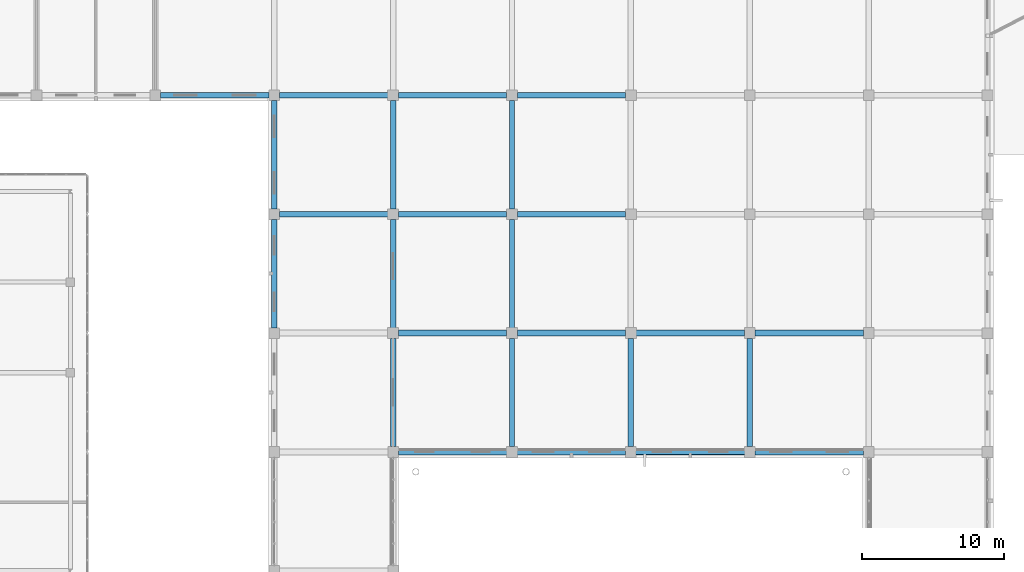
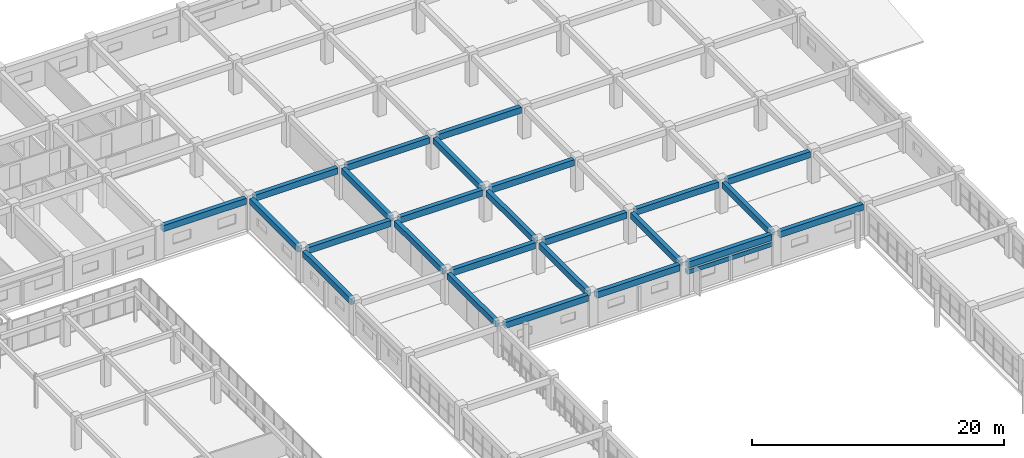
# One storey, part 142 of 200: 26 beams.
"""IFC4 building model written with IfcOpenShell, lengths in metres."""

from ifc_helpers import new_model, si_unit, direction, frame, origin, origin_2d, place, context, subcontext, project, spatial, rectangle, extrude, material, material_profile, profile_set, type_object, element, save


model = new_model("IFC4")

# Units and contexts
model_context = context("Model", 3, precision=1e-05, world=origin(), true_north=direction((0.0, 1.0)))
body_context = subcontext(model_context, "Body", "Model", "MODEL_VIEW")
ifc_project = project(units=[si_unit("LENGTHUNIT", "METRE"), si_unit("AREAUNIT", "SQUARE_METRE"), si_unit("VOLUMEUNIT", "CUBIC_METRE"), si_unit("PLANEANGLEUNIT", "RADIAN"), si_unit("MASSUNIT", "GRAM", prefix="KILO")], contexts=[model_context])

# Site, building, storey
site_placement = place(None, origin())
site = spatial("IfcSite", under=ifc_project, at=site_placement, CompositionType="ELEMENT")
building_placement = place(site_placement, origin())
building = spatial("IfcBuilding", under=site, at=building_placement, Name="Trelvath General Hospital", CompositionType="ELEMENT")
storey_placement = place(building_placement, frame((0.0, 0.0, 4.800048828125)))
storey = spatial("IfcBuildingStorey", under=building, at=storey_placement, Name="L01", CompositionType="ELEMENT", Elevation=4.800048828125)

# Beams
ifc_material_1 = material(Name="Concrete C35/45", Category="concrete")
ifc_material_profile_1 = material_profile(ifc_material_1, rectangle(XDim=0.3798828125, YDim=0.580078125, at=origin_2d()), Name="RCB380x580")
ifc_profile_set_1 = profile_set([ifc_material_profile_1], Name="Concrete C35/45")
beam_type_1 = type_object("IfcBeamType", Name="Beam RC380x580", PredefinedType="BEAM", material=ifc_profile_set_1)
for number, where, z_axis, x_axis, name in (
    (1, (134.39990234375, 75.969970703125, 2.72998046875), (0.0, 1.0, 0.0), (-1.0, 0.0, 0.0), "Grid Beam BY-116J"),
    (2, (134.39990234375, 84.3701171875, 2.72998046875), (0.0, 1.0, 0.0), (-1.0, 0.0, 0.0), "Grid Beam BY-116K"),
):
    element("IfcBeam", number, at=place(storey_placement, frame(where, z_axis=z_axis, x_axis=x_axis)), inside=storey, type_object=beam_type_1, Name=name, PredefinedType="BEAM", context=body_context, shape_type="SweptSolid", body=[
        extrude(rectangle(XDim=0.3798828125, YDim=0.580078125, at=origin_2d()), origin(), (0.0, 0.0, 1.0), 7.659912109375),
    ])
beam_1_placement = place(storey_placement, frame((142.800048828125, 67.570068359375, 2.72998046875), z_axis=(0.0, 1.0, 0.0), x_axis=(-1.0, 0.0, 0.0)))
element("IfcBeam", 3, at=beam_1_placement, inside=storey, type_object=beam_type_1, Name="Grid Beam BY-117I", PredefinedType="BEAM", context=body_context, shape_type="SweptSolid", body=[
    extrude(rectangle(XDim=0.3798828125, YDim=0.580078125, at=origin_2d()), origin(), (0.0, 0.0, 1.0), 7.655029296875),
])
for number, where, z_axis, x_axis, name in (
    (4, (142.800048828125, 75.97509765625, 2.72998046875), (0.0, 1.0, 0.0), (-1.0, 0.0, 0.0), "Grid Beam BY-117J"),
    (5, (142.800048828125, 84.375, 2.72998046875), (0.0, 1.0, 0.0), (-1.0, 0.0, 0.0), "Grid Beam BY-117K"),
):
    element("IfcBeam", number, at=place(storey_placement, frame(where, z_axis=z_axis, x_axis=x_axis)), inside=storey, type_object=beam_type_1, Name=name, PredefinedType="BEAM", context=body_context, shape_type="SweptSolid", body=[
        extrude(rectangle(XDim=0.3798828125, YDim=0.580078125, at=origin_2d()), origin(), (0.0, 0.0, 1.0), 7.64990234375),
    ])
beam_2_placement = place(storey_placement, frame((151.199951171875, 67.570068359375, 2.72998046875), z_axis=(0.0, 1.0, 0.0), x_axis=(-1.0, 0.0, 0.0)))
element("IfcBeam", 6, at=beam_2_placement, inside=storey, type_object=beam_type_1, Name="Grid Beam BY-118I", PredefinedType="BEAM", context=body_context, shape_type="SweptSolid", body=[
    extrude(rectangle(XDim=0.3798828125, YDim=0.580078125, at=origin_2d()), origin(), (0.0, 0.0, 1.0), 7.655029296875),
])
for number, where, z_axis, x_axis, name in (
    (7, (151.199951171875, 75.97509765625, 2.72998046875), (0.0, 1.0, 0.0), (-1.0, 0.0, 0.0), "Grid Beam BY-118J"),
    (8, (151.199951171875, 84.375, 2.72998046875), (0.0, 1.0, 0.0), (-1.0, 0.0, 0.0), "Grid Beam BY-118K"),
):
    element("IfcBeam", number, at=place(storey_placement, frame(where, z_axis=z_axis, x_axis=x_axis)), inside=storey, type_object=beam_type_1, Name=name, PredefinedType="BEAM", context=body_context, shape_type="SweptSolid", body=[
        extrude(rectangle(XDim=0.3798828125, YDim=0.580078125, at=origin_2d()), origin(), (0.0, 0.0, 1.0), 7.64990234375),
    ])
for number, where, z_axis, x_axis, name in (
    (9, (159.60009765625, 67.570068359375, 2.72998046875), (0.0, 1.0, 0.0), (-1.0, 0.0, 0.0), "Grid Beam BY-119I"),
    (10, (168.0, 67.570068359375, 2.72998046875), (0.0, 1.0, 0.0), (-1.0, 0.0, 0.0), "Grid Beam BY-120I"),
):
    element("IfcBeam", number, at=place(storey_placement, frame(where, z_axis=z_axis, x_axis=x_axis)), inside=storey, type_object=beam_type_1, Name=name, PredefinedType="BEAM", context=body_context, shape_type="SweptSolid", body=[
        extrude(rectangle(XDim=0.3798828125, YDim=0.580078125, at=origin_2d()), origin(), (0.0, 0.0, 1.0), 7.655029296875),
    ])
ifc_material_2 = material(Name="Concrete C35/45", Category="concrete")
ifc_material_profile_2 = material_profile(ifc_material_2, rectangle(XDim=0.39990234375, YDim=0.60009765625, at=origin_2d()), Name="RCB400x600")
ifc_profile_set_2 = profile_set([ifc_material_profile_2], Name="Concrete C35/45")
beam_type_2 = type_object("IfcBeamType", Name="Beam RC400x600", PredefinedType="BEAM", material=ifc_profile_set_2)
beam_3_placement = place(storey_placement, frame((126.3701171875, 92.39990234375, 2.719970703125), z_axis=(1.0, 0.0, 0.0), x_axis=(0.0, 1.0, 0.0)))
element("IfcBeam", 11, at=beam_3_placement, inside=storey, type_object=beam_type_2, Name="Grid Beam BX-115L", PredefinedType="BEAM", context=body_context, shape_type="SweptSolid", body=[
    extrude(rectangle(XDim=0.39990234375, YDim=0.60009765625, at=origin_2d()), origin(), (0.0, 0.0, 1.0), 7.659912109375),
])
for number, where, z_axis, x_axis, name in (
    (12, (134.77001953125, 84.0, 2.719970703125), (1.0, 0.0, 0.0), (0.0, 1.0, 0.0), "Grid Beam BX-116K"),
    (13, (134.77001953125, 92.39990234375, 2.719970703125), (1.0, 0.0, 0.0), (0.0, 1.0, 0.0), "Grid Beam BX-116L"),
):
    element("IfcBeam", number, at=place(storey_placement, frame(where, z_axis=z_axis, x_axis=x_axis)), inside=storey, type_object=beam_type_2, Name=name, PredefinedType="BEAM", context=body_context, shape_type="SweptSolid", body=[
        extrude(rectangle(XDim=0.39990234375, YDim=0.60009765625, at=origin_2d()), origin(), (0.0, 0.0, 1.0), 7.655029296875),
    ])
beam_4_placement = place(storey_placement, frame((143.169921875, 67.199951171875, 2.719970703125), z_axis=(1.0, 0.0, 0.0), x_axis=(0.0, 1.0, 0.0)))
element("IfcBeam", 14, at=beam_4_placement, inside=storey, type_object=beam_type_2, Name="Grid Beam BX-117I", PredefinedType="BEAM", context=body_context, shape_type="SweptSolid", body=[
    extrude(rectangle(XDim=0.39990234375, YDim=0.60009765625, at=origin_2d()), origin(), (0.0, 0.0, 1.0), 7.66015625),
])
for number, where, z_axis, x_axis, name in (
    (15, (143.175048828125, 75.60009765625, 2.719970703125), (1.0, 0.0, 0.0), (0.0, 1.0, 0.0), "Grid Beam BX-117J"),
    (16, (143.175048828125, 84.0, 2.719970703125), (1.0, 0.0, 0.0), (0.0, 1.0, 0.0), "Grid Beam BX-117K"),
    (17, (143.175048828125, 92.39990234375, 2.719970703125), (1.0, 0.0, 0.0), (0.0, 1.0, 0.0), "Grid Beam BX-117L"),
):
    element("IfcBeam", number, at=place(storey_placement, frame(where, z_axis=z_axis, x_axis=x_axis)), inside=storey, type_object=beam_type_2, Name=name, PredefinedType="BEAM", context=body_context, shape_type="SweptSolid", body=[
        extrude(rectangle(XDim=0.39990234375, YDim=0.60009765625, at=origin_2d()), origin(), (0.0, 0.0, 1.0), 7.64990234375),
    ])
beam_5_placement = place(storey_placement, frame((151.570068359375, 67.199951171875, 2.719970703125), z_axis=(1.0, 0.0, 0.0), x_axis=(0.0, 1.0, 0.0)))
element("IfcBeam", 18, at=beam_5_placement, inside=storey, type_object=beam_type_2, Name="Grid Beam BX-118I", PredefinedType="BEAM", context=body_context, shape_type="SweptSolid", body=[
    extrude(rectangle(XDim=0.39990234375, YDim=0.60009765625, at=origin_2d()), origin(), (0.0, 0.0, 1.0), 7.659912109375),
])
for number, where, z_axis, x_axis, name in (
    (19, (151.574951171875, 75.60009765625, 2.719970703125), (1.0, 0.0, 0.0), (0.0, 1.0, 0.0), "Grid Beam BX-118J"),
    (20, (151.574951171875, 84.0, 2.719970703125), (1.0, 0.0, 0.0), (0.0, 1.0, 0.0), "Grid Beam BX-118K"),
    (21, (151.574951171875, 92.39990234375, 2.719970703125), (1.0, 0.0, 0.0), (0.0, 1.0, 0.0), "Grid Beam BX-118L"),
):
    element("IfcBeam", number, at=place(storey_placement, frame(where, z_axis=z_axis, x_axis=x_axis)), inside=storey, type_object=beam_type_2, Name=name, PredefinedType="BEAM", context=body_context, shape_type="SweptSolid", body=[
        extrude(rectangle(XDim=0.39990234375, YDim=0.60009765625, at=origin_2d()), origin(), (0.0, 0.0, 1.0), 7.650146484375),
    ])
beam_6_placement = place(storey_placement, frame((159.969970703125, 67.199951171875, 2.719970703125), z_axis=(1.0, 0.0, 0.0), x_axis=(0.0, 1.0, 0.0)))
element("IfcBeam", 22, at=beam_6_placement, inside=storey, type_object=beam_type_2, Name="Grid Beam BX-119I", PredefinedType="BEAM", context=body_context, shape_type="SweptSolid", body=[
    extrude(rectangle(XDim=0.39990234375, YDim=0.60009765625, at=origin_2d()), origin(), (0.0, 0.0, 1.0), 7.659912109375),
])
beam_7_placement = place(storey_placement, frame((159.97509765625, 75.60009765625, 2.719970703125), z_axis=(1.0, 0.0, 0.0), x_axis=(0.0, 1.0, 0.0)))
element("IfcBeam", 23, at=beam_7_placement, inside=storey, type_object=beam_type_2, Name="Grid Beam BX-119J", PredefinedType="BEAM", context=body_context, shape_type="SweptSolid", body=[
    extrude(rectangle(XDim=0.39990234375, YDim=0.60009765625, at=origin_2d()), origin(), (0.0, 0.0, 1.0), 7.64990234375),
])
beam_8_placement = place(storey_placement, frame((168.3701171875, 67.199951171875, 2.719970703125), z_axis=(1.0, 0.0, 0.0), x_axis=(0.0, 1.0, 0.0)))
element("IfcBeam", 24, at=beam_8_placement, inside=storey, type_object=beam_type_2, Name="Grid Beam BX-120I", PredefinedType="BEAM", context=body_context, shape_type="SweptSolid", body=[
    extrude(rectangle(XDim=0.39990234375, YDim=0.60009765625, at=origin_2d()), origin(), (0.0, 0.0, 1.0), 7.659912109375),
])
beam_9_placement = place(storey_placement, frame((168.375, 75.60009765625, 2.719970703125), z_axis=(1.0, 0.0, 0.0), x_axis=(0.0, 1.0, 0.0)))
element("IfcBeam", 25, at=beam_9_placement, inside=storey, type_object=beam_type_2, Name="Grid Beam BX-120J", PredefinedType="BEAM", context=body_context, shape_type="SweptSolid", body=[
    extrude(rectangle(XDim=0.39990234375, YDim=0.60009765625, at=origin_2d()), origin(), (0.0, 0.0, 1.0), 7.64990234375),
])
ifc_material_3 = material(Name="Precast concrete C40/50", Category="concrete")
ifc_material_profile_3 = material_profile(ifc_material_3, rectangle(XDim=0.35009765625, YDim=0.419921875, at=origin_2d()), Name="PCL350x420")
ifc_profile_set_3 = profile_set([ifc_material_profile_3], Name="Precast concrete C40/50")
beam_type_3 = type_object("IfcBeamType", Name="Lintel PC350x420", PredefinedType="LINTEL", material=ifc_profile_set_3)
beam_10_placement = place(storey_placement, frame((167.7099609375, 67.199951171875, 2.02001953125), z_axis=(-1.0, 0.0, 0.0), x_axis=(0.0, -1.0, 0.0)))
element("IfcBeam", 26, at=beam_10_placement, inside=storey, type_object=beam_type_3, Name="Precast Window Brow Lintel L01-205", PredefinedType="LINTEL", context=body_context, shape_type="SweptSolid", body=[
    extrude(rectangle(XDim=0.35009765625, YDim=0.419921875, at=origin_2d()), origin(), (0.0, 0.0, 1.0), 7.820068359375),
])

save(model, "model.ifc")
